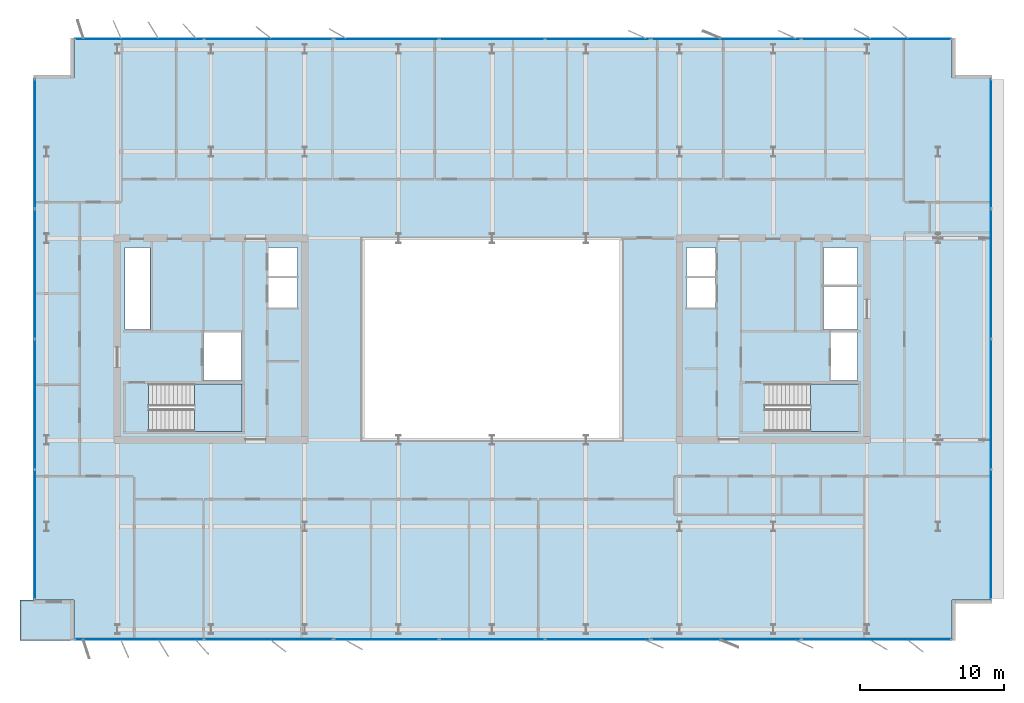
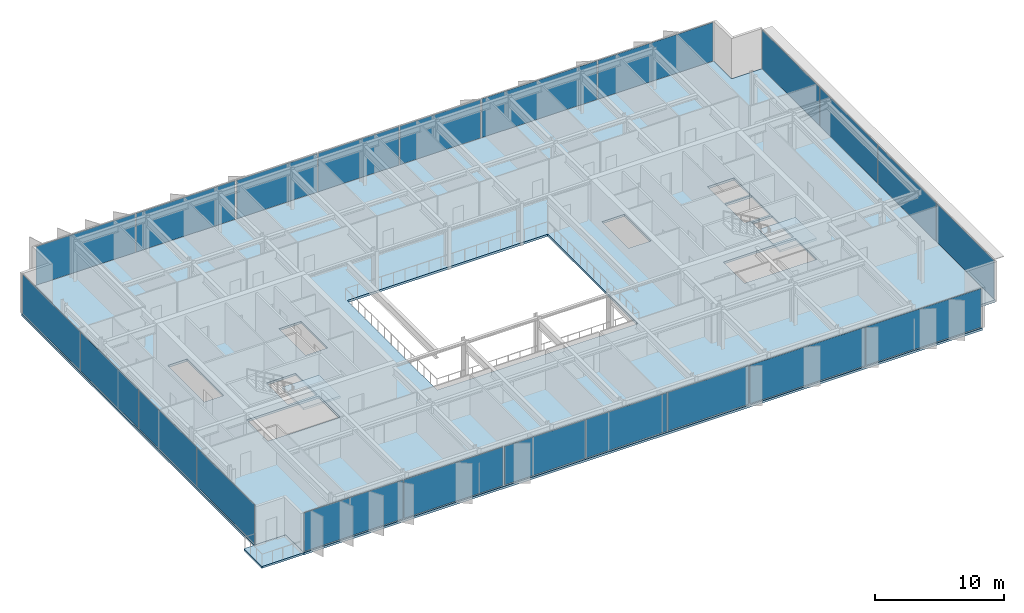
# One storey, part 11 of 20: 22 plates, 4 slabs, 10 elements without a shape of their own.
"""IFC4 building model written with IfcOpenShell, lengths in metres."""

from ifc_helpers import new_model, si_unit, direction, frame, origin, origin_2d, place, context, subcontext, project, spatial, polyline, rectangle, outline, extrude, material, layer, layer_set, type_object, element, aggregate, save


model = new_model("IFC4")

# Units and contexts
model_context = context("Model", 3, precision=1e-05, world=origin(), true_north=direction((0.0, 1.0)))
body_context = subcontext(model_context, "Body", "Model", "MODEL_VIEW")
ifc_project = project(units=[si_unit("LENGTHUNIT", "METRE"), si_unit("AREAUNIT", "SQUARE_METRE"), si_unit("VOLUMEUNIT", "CUBIC_METRE"), si_unit("PLANEANGLEUNIT", "RADIAN"), si_unit("MASSUNIT", "GRAM", prefix="KILO")], contexts=[model_context])

# Site, building, storey
site_placement = place(None, origin())
site = spatial("IfcSite", under=ifc_project, at=site_placement, CompositionType="ELEMENT")
building_placement = place(site_placement, origin())
building = spatial("IfcBuilding", under=site, at=building_placement, Name="Putna Gate Headquarters", CompositionType="ELEMENT")
storey_placement = place(building_placement, frame((0.0, 0.0, 294.39990234375)))
storey = spatial("IfcBuildingStorey", under=building, at=storey_placement, Name="L74", CompositionType="ELEMENT", Elevation=294.39990234375)

# Stair, slab
ifc_material_1 = material(Name="Concrete C40/50", Category="concrete")
stair_type_1 = type_object("IfcStairType", Name="STAIR-ST1", PredefinedType="HALF_TURN_STAIR", material=ifc_material_1)
stair_1_placement = place(storey_placement, origin())
stair_1 = element("IfcStair", 1, at=stair_1_placement, inside=storey, type_object=stair_type_1, Name="L74 West Core Exit Stair ST1", PredefinedType="HALF_TURN_STAIR")
ifc_layer_1 = layer(ifc_material_1, 0.199951171875)
ifc_layer_set_1 = layer_set([ifc_layer_1], Name="Concrete C40/50")
slab_type_1 = type_object("IfcSlabType", Name="LANDING-ST1", PredefinedType="LANDING", material=ifc_layer_set_1)
slab_1_placement = place(storey_placement, frame((0.0, 0.0, 1.800048828125)))
slab_1 = element("IfcSlab", 2, at=slab_1_placement, type_object=slab_type_1, Name="ST1 landing 1", PredefinedType="LANDING", context=body_context, shape_type="SweptSolid", body=[
    extrude(outline(polyline([(18.340087890625, 19.60009765625), (21.64990234375, 19.60009765625), (21.64990234375, 22.89990234375), (18.340087890625, 22.89990234375), (18.340087890625, 19.60009765625)])), origin(), (0.0, 0.0, 1.0), 0.199951171875),
])
aggregate(stair_1, [slab_1])

stair_type_2 = type_object("IfcStairType", Name="STAIR-ST2", PredefinedType="HALF_TURN_STAIR", material=ifc_material_1)
stair_2_placement = place(storey_placement, origin())
stair_2 = element("IfcStair", 3, at=stair_2_placement, inside=storey, type_object=stair_type_2, Name="L74 East Core Exit Stair ST2", PredefinedType="HALF_TURN_STAIR")
ifc_layer_2 = layer(ifc_material_1, 0.199951171875)
ifc_layer_set_2 = layer_set([ifc_layer_2], Name="Concrete C40/50")
slab_type_2 = type_object("IfcSlabType", Name="LANDING-ST2", PredefinedType="LANDING", material=ifc_layer_set_2)
slab_2_placement = place(storey_placement, frame((0.0, 0.0, 1.800048828125)))
slab_2 = element("IfcSlab", 4, at=slab_2_placement, type_object=slab_type_2, Name="ST2 landing 1", PredefinedType="LANDING", context=body_context, shape_type="SweptSolid", body=[
    extrude(outline(polyline([(61.090087890625, 19.60009765625), (64.39990234375, 19.60009765625), (64.39990234375, 22.89990234375), (61.090087890625, 22.89990234375), (61.090087890625, 19.60009765625)])), origin(), (0.0, 0.0, 1.0), 0.199951171875),
])
aggregate(stair_2, [slab_2])

# Curtain wall, plates
ifc_material_2 = material(Name="Anodised bronze aluminium curtain wall", Category="aluminium")
ifc_layer_3 = layer(ifc_material_2, 0.179931640625)
ifc_layer_set_3 = layer_set([ifc_layer_3], Name="Anodised bronze aluminium curtain wall")
curtain_wall_type_1 = type_object("IfcCurtainWallType", Name="CW-SYS-Z5", PredefinedType="USERDEFINED", material=ifc_layer_set_3)
curtain_wall_1_placement = place(storey_placement, origin())
curtain_wall_1 = element("IfcCurtainWall", 5, at=curtain_wall_1_placement, inside=storey, type_object=curtain_wall_type_1, Name="L74 South West Curtain Wall", ObjectType="STICK CURTAIN WALL", PredefinedType="USERDEFINED")
ifc_material_3 = material(Name="Solar-control triple low-E glass", Category="glass")
ifc_layer_4 = layer(ifc_material_3, 0.033935546875)
ifc_layer_set_4 = layer_set([ifc_layer_4], Name="Solar-control triple low-E glass")
plate_type_1 = type_object("IfcPlateType", Name="PAN-CWP-5", PredefinedType="CURTAIN_PANEL", material=ifc_layer_set_4)
plate_1_placement = place(storey_placement, frame((14.517578125, 5.179931640625, 0.06005859375), z_axis=(0.0, 0.0, 1.0), x_axis=(1.0, 0.0, 0.0)))
plate_1 = element("IfcPlate", 6, at=plate_1_placement, type_object=plate_type_1, Name="CWS-5 panel 1.1", PredefinedType="CURTAIN_PANEL", context=body_context, shape_type="SweptSolid", body=[
    extrude(rectangle(XDim=8.89501953125, YDim=0.033935546875, at=origin_2d()), origin(), (0.0, 0.0, 1.0), 3.66796875),
])
plate_2_placement = place(storey_placement, frame((23.482421875, 5.179931640625, 0.06005859375), z_axis=(0.0, 0.0, 1.0), x_axis=(1.0, 0.0, 0.0)))
plate_2 = element("IfcPlate", 7, at=plate_2_placement, type_object=plate_type_1, Name="CWS-5 panel 2.1", PredefinedType="CURTAIN_PANEL", context=body_context, shape_type="SweptSolid", body=[
    extrude(rectangle(XDim=8.89501953125, YDim=0.033935546875, at=origin_2d()), origin(), (0.0, 0.0, 1.0), 3.66796875),
])
aggregate(curtain_wall_1, [plate_1, plate_2])

curtain_wall_2_placement = place(storey_placement, origin())
curtain_wall_2 = element("IfcCurtainWall", 8, at=curtain_wall_2_placement, inside=storey, type_object=curtain_wall_type_1, Name="L74 South East Curtain Wall", ObjectType="STICK CURTAIN WALL", PredefinedType="USERDEFINED")
plate_3_placement = place(storey_placement, frame((55.23876953125, 5.179931640625, 0.06005859375), z_axis=(0.0, 0.0, 1.0), x_axis=(1.0, 0.0, 0.0)))
plate_3 = element("IfcPlate", 9, at=plate_3_placement, type_object=plate_type_1, Name="CWS-5 panel 1.1", PredefinedType="CURTAIN_PANEL", context=body_context, shape_type="SweptSolid", body=[
    extrude(rectangle(XDim=10.33740234375, YDim=0.033935546875, at=origin_2d()), origin(), (0.0, 0.0, 1.0), 3.66796875),
])
plate_4_placement = place(storey_placement, frame((65.646240234375, 5.179931640625, 0.06005859375), z_axis=(0.0, 0.0, 1.0), x_axis=(1.0, 0.0, 0.0)))
plate_4 = element("IfcPlate", 10, at=plate_4_placement, type_object=plate_type_1, Name="CWS-5 panel 2.1", PredefinedType="CURTAIN_PANEL", context=body_context, shape_type="SweptSolid", body=[
    extrude(rectangle(XDim=10.33740234375, YDim=0.033935546875, at=origin_2d()), origin(), (0.0, 0.0, 1.0), 3.66796875),
])
aggregate(curtain_wall_2, [plate_3, plate_4])

curtain_wall_3_placement = place(storey_placement, origin())
curtain_wall_3 = element("IfcCurtainWall", 11, at=curtain_wall_3_placement, inside=storey, type_object=curtain_wall_type_1, Name="L74 North West Curtain Wall", ObjectType="STICK CURTAIN WALL", PredefinedType="USERDEFINED")
plate_5_placement = place(storey_placement, frame((14.517578125, 46.820068359375, 0.06005859375), z_axis=(0.0, 0.0, 1.0), x_axis=(1.0, 0.0, 0.0)))
plate_5 = element("IfcPlate", 12, at=plate_5_placement, type_object=plate_type_1, Name="CWS-5 panel 1.1", PredefinedType="CURTAIN_PANEL", context=body_context, shape_type="SweptSolid", body=[
    extrude(rectangle(XDim=8.89501953125, YDim=0.033935546875, at=origin_2d()), origin(), (0.0, 0.0, 1.0), 3.66796875),
])
plate_6_placement = place(storey_placement, frame((23.482421875, 46.820068359375, 0.06005859375), z_axis=(0.0, 0.0, 1.0), x_axis=(1.0, 0.0, 0.0)))
plate_6 = element("IfcPlate", 13, at=plate_6_placement, type_object=plate_type_1, Name="CWS-5 panel 2.1", PredefinedType="CURTAIN_PANEL", context=body_context, shape_type="SweptSolid", body=[
    extrude(rectangle(XDim=8.89501953125, YDim=0.033935546875, at=origin_2d()), origin(), (0.0, 0.0, 1.0), 3.66796875),
])
aggregate(curtain_wall_3, [plate_5, plate_6])

curtain_wall_4_placement = place(storey_placement, origin())
curtain_wall_4 = element("IfcCurtainWall", 14, at=curtain_wall_4_placement, inside=storey, type_object=curtain_wall_type_1, Name="L74 North East Curtain Wall", ObjectType="STICK CURTAIN WALL", PredefinedType="USERDEFINED")
plate_7_placement = place(storey_placement, frame((55.23876953125, 46.820068359375, 0.06005859375), z_axis=(0.0, 0.0, 1.0), x_axis=(1.0, 0.0, 0.0)))
plate_7 = element("IfcPlate", 15, at=plate_7_placement, type_object=plate_type_1, Name="CWS-5 panel 1.1", PredefinedType="CURTAIN_PANEL", context=body_context, shape_type="SweptSolid", body=[
    extrude(rectangle(XDim=10.33740234375, YDim=0.033935546875, at=origin_2d()), origin(), (0.0, 0.0, 1.0), 3.66796875),
])
plate_8_placement = place(storey_placement, frame((65.646240234375, 46.820068359375, 0.06005859375), z_axis=(0.0, 0.0, 1.0), x_axis=(1.0, 0.0, 0.0)))
plate_8 = element("IfcPlate", 16, at=plate_8_placement, type_object=plate_type_1, Name="CWS-5 panel 2.1", PredefinedType="CURTAIN_PANEL", context=body_context, shape_type="SweptSolid", body=[
    extrude(rectangle(XDim=10.33740234375, YDim=0.033935546875, at=origin_2d()), origin(), (0.0, 0.0, 1.0), 3.66796875),
])
aggregate(curtain_wall_4, [plate_7, plate_8])

curtain_wall_5_placement = place(storey_placement, origin())
curtain_wall_5 = element("IfcCurtainWall", 17, at=curtain_wall_5_placement, inside=storey, type_object=curtain_wall_type_1, Name="L74 West Curtain Wall", ObjectType="STICK CURTAIN WALL", PredefinedType="USERDEFINED")
plate_9_placement = place(storey_placement, frame((7.280029296875, 12.4423828125, 0.06005859375), z_axis=(0.0, 0.0, 1.0), x_axis=(0.0, 1.0, 0.0)))
plate_9 = element("IfcPlate", 18, at=plate_9_placement, type_object=plate_type_1, Name="CWS-5 panel 1.1", PredefinedType="CURTAIN_PANEL", context=body_context, shape_type="SweptSolid", body=[
    extrude(rectangle(XDim=8.945068359375, YDim=0.033935546875, at=origin_2d()), origin(), (0.0, 0.0, 1.0), 3.66796875),
])
plate_10_placement = place(storey_placement, frame((7.280029296875, 21.47509765625, 0.06005859375), z_axis=(0.0, 0.0, 1.0), x_axis=(0.0, 1.0, 0.0)))
plate_10 = element("IfcPlate", 19, at=plate_10_placement, type_object=plate_type_1, Name="CWS-5 panel 2.1", PredefinedType="CURTAIN_PANEL", context=body_context, shape_type="SweptSolid", body=[
    extrude(rectangle(XDim=8.97998046875, YDim=0.033935546875, at=origin_2d()), origin(), (0.0, 0.0, 1.0), 3.66796875),
])
plate_11_placement = place(storey_placement, frame((7.280029296875, 30.52490234375, 0.06005859375), z_axis=(0.0, 0.0, 1.0), x_axis=(0.0, 1.0, 0.0)))
plate_11 = element("IfcPlate", 20, at=plate_11_placement, type_object=plate_type_1, Name="CWS-5 panel 3.1", PredefinedType="CURTAIN_PANEL", context=body_context, shape_type="SweptSolid", body=[
    extrude(rectangle(XDim=8.97998046875, YDim=0.033935546875, at=origin_2d()), origin(), (0.0, 0.0, 1.0), 3.66796875),
])
plate_12_placement = place(storey_placement, frame((7.280029296875, 39.5576171875, 0.06005859375), z_axis=(0.0, 0.0, 1.0), x_axis=(0.0, 1.0, 0.0)))
plate_12 = element("IfcPlate", 21, at=plate_12_placement, type_object=plate_type_1, Name="CWS-5 panel 4.1", PredefinedType="CURTAIN_PANEL", context=body_context, shape_type="SweptSolid", body=[
    extrude(rectangle(XDim=8.945068359375, YDim=0.033935546875, at=origin_2d()), origin(), (0.0, 0.0, 1.0), 3.66796875),
])
aggregate(curtain_wall_5, [plate_9, plate_10, plate_11, plate_12])

curtain_wall_6_placement = place(storey_placement, origin())
curtain_wall_6 = element("IfcCurtainWall", 22, at=curtain_wall_6_placement, inside=storey, type_object=curtain_wall_type_1, Name="L74 East Curtain Wall", ObjectType="STICK CURTAIN WALL", PredefinedType="USERDEFINED")
plate_13_placement = place(storey_placement, frame((73.60498046875, 12.4423828125, 0.06005859375), z_axis=(0.0, 0.0, 1.0), x_axis=(0.0, 1.0, 0.0)))
plate_13 = element("IfcPlate", 23, at=plate_13_placement, type_object=plate_type_1, Name="CWS-5 panel 1.1", PredefinedType="CURTAIN_PANEL", context=body_context, shape_type="SweptSolid", body=[
    extrude(rectangle(XDim=8.945068359375, YDim=0.033935546875, at=origin_2d()), origin(), (0.0, 0.0, 1.0), 3.66796875),
])
plate_14_placement = place(storey_placement, frame((73.60498046875, 21.47509765625, 0.06005859375), z_axis=(0.0, 0.0, 1.0), x_axis=(0.0, 1.0, 0.0)))
plate_14 = element("IfcPlate", 24, at=plate_14_placement, type_object=plate_type_1, Name="CWS-5 panel 2.1", PredefinedType="CURTAIN_PANEL", context=body_context, shape_type="SweptSolid", body=[
    extrude(rectangle(XDim=8.97998046875, YDim=0.033935546875, at=origin_2d()), origin(), (0.0, 0.0, 1.0), 3.66796875),
])
plate_15_placement = place(storey_placement, frame((73.60498046875, 30.52490234375, 0.06005859375), z_axis=(0.0, 0.0, 1.0), x_axis=(0.0, 1.0, 0.0)))
plate_15 = element("IfcPlate", 25, at=plate_15_placement, type_object=plate_type_1, Name="CWS-5 panel 3.1", PredefinedType="CURTAIN_PANEL", context=body_context, shape_type="SweptSolid", body=[
    extrude(rectangle(XDim=8.97998046875, YDim=0.033935546875, at=origin_2d()), origin(), (0.0, 0.0, 1.0), 3.66796875),
])
plate_16_placement = place(storey_placement, frame((73.60498046875, 39.5576171875, 0.06005859375), z_axis=(0.0, 0.0, 1.0), x_axis=(0.0, 1.0, 0.0)))
plate_16 = element("IfcPlate", 26, at=plate_16_placement, type_object=plate_type_1, Name="CWS-5 panel 4.1", PredefinedType="CURTAIN_PANEL", context=body_context, shape_type="SweptSolid", body=[
    extrude(rectangle(XDim=8.945068359375, YDim=0.033935546875, at=origin_2d()), origin(), (0.0, 0.0, 1.0), 3.66796875),
])
aggregate(curtain_wall_6, [plate_13, plate_14, plate_15, plate_16])

ifc_layer_5 = layer(ifc_material_2, 0.179931640625)
ifc_layer_set_5 = layer_set([ifc_layer_5], Name="Anodised bronze aluminium curtain wall")
curtain_wall_type_2 = type_object("IfcCurtainWallType", Name="CW-SYS-ATR", PredefinedType="USERDEFINED", material=ifc_layer_set_5)
curtain_wall_7_placement = place(storey_placement, origin())
curtain_wall_7 = element("IfcCurtainWall", 27, at=curtain_wall_7_placement, inside=storey, type_object=curtain_wall_type_2, Name="L74 South Atrium Clear Glazing", ObjectType="ATRIUM GLAZING", PredefinedType="USERDEFINED")
ifc_material_4 = material(Name="Clear low-iron triple glazing", Category="glass")
ifc_layer_6 = layer(ifc_material_4, 0.0400390625)
ifc_layer_set_6 = layer_set([ifc_layer_6], Name="Clear low-iron triple glazing")
plate_type_2 = type_object("IfcPlateType", Name="PAN-CWP-AT", PredefinedType="CURTAIN_PANEL", material=ifc_layer_set_6)
plate_17_placement = place(storey_placement, frame((31.68408203125, 5.179931640625, 0.070068359375), z_axis=(0.0, 0.0, 1.0), x_axis=(1.0, 0.0, 0.0)))
plate_17 = element("IfcPlate", 28, at=plate_17_placement, type_object=plate_type_2, Name="CWS-AT panel 1.1", PredefinedType="CURTAIN_PANEL", context=body_context, shape_type="SweptSolid", body=[
    extrude(rectangle(XDim=7.228271484375, YDim=0.0400390625, at=origin_2d()), origin(), (0.0, 0.0, 1.0), 3.64794921875),
])
plate_18_placement = place(storey_placement, frame((39.0, 5.179931640625, 0.070068359375), z_axis=(0.0, 0.0, 1.0), x_axis=(1.0, 0.0, 0.0)))
plate_18 = element("IfcPlate", 29, at=plate_18_placement, type_object=plate_type_2, Name="CWS-AT panel 2.1", PredefinedType="CURTAIN_PANEL", context=body_context, shape_type="SweptSolid", body=[
    extrude(rectangle(XDim=7.263427734375, YDim=0.0400390625, at=origin_2d()), origin(), (0.0, 0.0, 1.0), 3.64794921875),
])
plate_19_placement = place(storey_placement, frame((46.31591796875, 5.179931640625, 0.070068359375), z_axis=(0.0, 0.0, 1.0), x_axis=(1.0, 0.0, 0.0)))
plate_19 = element("IfcPlate", 30, at=plate_19_placement, type_object=plate_type_2, Name="CWS-AT panel 3.1", PredefinedType="CURTAIN_PANEL", context=body_context, shape_type="SweptSolid", body=[
    extrude(rectangle(XDim=7.228271484375, YDim=0.0400390625, at=origin_2d()), origin(), (0.0, 0.0, 1.0), 3.64794921875),
])
aggregate(curtain_wall_7, [plate_17, plate_18, plate_19])

curtain_wall_8_placement = place(storey_placement, origin())
curtain_wall_8 = element("IfcCurtainWall", 31, at=curtain_wall_8_placement, inside=storey, type_object=curtain_wall_type_2, Name="L74 North Atrium Clear Glazing", ObjectType="ATRIUM GLAZING", PredefinedType="USERDEFINED")
plate_20_placement = place(storey_placement, frame((31.68408203125, 46.820068359375, 0.070068359375), z_axis=(0.0, 0.0, 1.0), x_axis=(1.0, 0.0, 0.0)))
plate_20 = element("IfcPlate", 32, at=plate_20_placement, type_object=plate_type_2, Name="CWS-AT panel 1.1", PredefinedType="CURTAIN_PANEL", context=body_context, shape_type="SweptSolid", body=[
    extrude(rectangle(XDim=7.228271484375, YDim=0.0400390625, at=origin_2d()), origin(), (0.0, 0.0, 1.0), 3.64794921875),
])
plate_21_placement = place(storey_placement, frame((39.0, 46.820068359375, 0.070068359375), z_axis=(0.0, 0.0, 1.0), x_axis=(1.0, 0.0, 0.0)))
plate_21 = element("IfcPlate", 33, at=plate_21_placement, type_object=plate_type_2, Name="CWS-AT panel 2.1", PredefinedType="CURTAIN_PANEL", context=body_context, shape_type="SweptSolid", body=[
    extrude(rectangle(XDim=7.263427734375, YDim=0.0400390625, at=origin_2d()), origin(), (0.0, 0.0, 1.0), 3.64794921875),
])
plate_22_placement = place(storey_placement, frame((46.31591796875, 46.820068359375, 0.070068359375), z_axis=(0.0, 0.0, 1.0), x_axis=(1.0, 0.0, 0.0)))
plate_22 = element("IfcPlate", 34, at=plate_22_placement, type_object=plate_type_2, Name="CWS-AT panel 3.1", PredefinedType="CURTAIN_PANEL", context=body_context, shape_type="SweptSolid", body=[
    extrude(rectangle(XDim=7.228271484375, YDim=0.0400390625, at=origin_2d()), origin(), (0.0, 0.0, 1.0), 3.64794921875),
])
aggregate(curtain_wall_8, [plate_20, plate_21, plate_22])

# Slabs
ifc_layer_7 = layer(ifc_material_1, 0.179931640625)
ifc_layer_set_7 = layer_set([ifc_layer_7], Name="Concrete C40/50")
slab_type_3 = type_object("IfcSlabType", Name="SLAB-TERRACE-180", PredefinedType="FLOOR", material=ifc_layer_set_7)
slab_3_placement = place(storey_placement, frame((0.0, 0.0, -0.179931640625)))
element("IfcSlab", 35, at=slab_3_placement, inside=storey, type_object=slab_type_3, Name="L74 Spiral Sky-Garden Terrace Slab (SW)", PredefinedType="FLOOR", context=body_context, shape_type="SweptSolid", body=[
    extrude(outline(polyline([(6.25, 5.10009765625), (10.008056640625, 5.10009765625), (10.008056640625, 7.907958984375), (6.25, 7.907958984375), (6.25, 5.10009765625)])), origin(), (0.0, 0.0, 1.0), 0.179931640625),
])
ifc_layer_8 = layer(ifc_material_1, 0.2119140625)
ifc_layer_set_8 = layer_set([ifc_layer_8], Name="Concrete C40/50")
slab_type_4 = type_object("IfcSlabType", Name="SLAB-Z5-212", PredefinedType="FLOOR", material=ifc_layer_set_8)
slab_4_placement = place(storey_placement, frame((0.0, 0.0, -0.2119140625)))
element("IfcSlab", 36, at=slab_4_placement, inside=storey, type_object=slab_type_4, Name="L74 Composite Floor Slab", PredefinedType="FLOOR", context=body_context, shape_type="SweptSolid", body=[
    extrude(outline(polyline([(10.0, 5.10009765625), (70.885009765625, 5.10009765625), (70.885009765625, 7.89990234375), (73.68505859375, 7.89990234375), (73.68505859375, 44.10009765625), (70.885009765625, 44.10009765625), (70.885009765625, 46.89990234375), (10.0, 46.89990234375), (10.0, 44.10009765625), (7.199951171875, 44.10009765625), (7.199951171875, 7.89990234375), (10.0, 7.89990234375), (10.0, 5.10009765625)]), holes=[polyline([(15.1650390625, 19.60009765625), (21.64990234375, 19.60009765625), (21.64990234375, 22.89990234375), (15.1650390625, 22.89990234375), (15.1650390625, 19.60009765625)]), polyline([(57.9150390625, 19.60009765625), (64.39990234375, 19.60009765625), (64.39990234375, 22.89990234375), (57.9150390625, 22.89990234375), (57.9150390625, 19.60009765625)]), polyline([(13.52001953125, 26.659912109375), (15.280029296875, 26.659912109375), (15.280029296875, 32.35009765625), (13.52001953125, 32.35009765625), (13.52001953125, 26.659912109375)]), polyline([(61.969970703125, 29.780029296875), (64.35009765625, 29.780029296875), (64.35009765625, 32.35009765625), (61.969970703125, 32.35009765625), (61.969970703125, 29.780029296875)]), polyline([(18.97998046875, 23.1201171875), (21.6201171875, 23.1201171875), (21.6201171875, 26.4599609375), (18.97998046875, 26.4599609375), (18.97998046875, 23.1201171875)]), polyline([(62.52001953125, 23.1201171875), (64.35009765625, 23.1201171875), (64.35009765625, 26.4599609375), (62.52001953125, 26.4599609375), (62.52001953125, 23.1201171875)]), polyline([(61.969970703125, 26.659912109375), (64.35009765625, 26.659912109375), (64.35009765625, 29.6201171875), (61.969970703125, 29.6201171875), (61.969970703125, 26.659912109375)]), polyline([(23.5, 28.199951171875), (25.5, 28.199951171875), (25.5, 32.35009765625), (23.5, 32.35009765625), (23.5, 28.199951171875)]), polyline([(52.47998046875, 28.199951171875), (54.5, 28.199951171875), (54.5, 32.35009765625), (52.47998046875, 32.35009765625), (52.47998046875, 28.199951171875)]), polyline([(30.0, 19.0), (48.0, 19.0), (48.0, 33.0), (30.0, 33.0), (30.0, 19.0)])]), origin(), (0.0, 0.0, 1.0), 0.2119140625),
])

save(model, "model.ifc")
